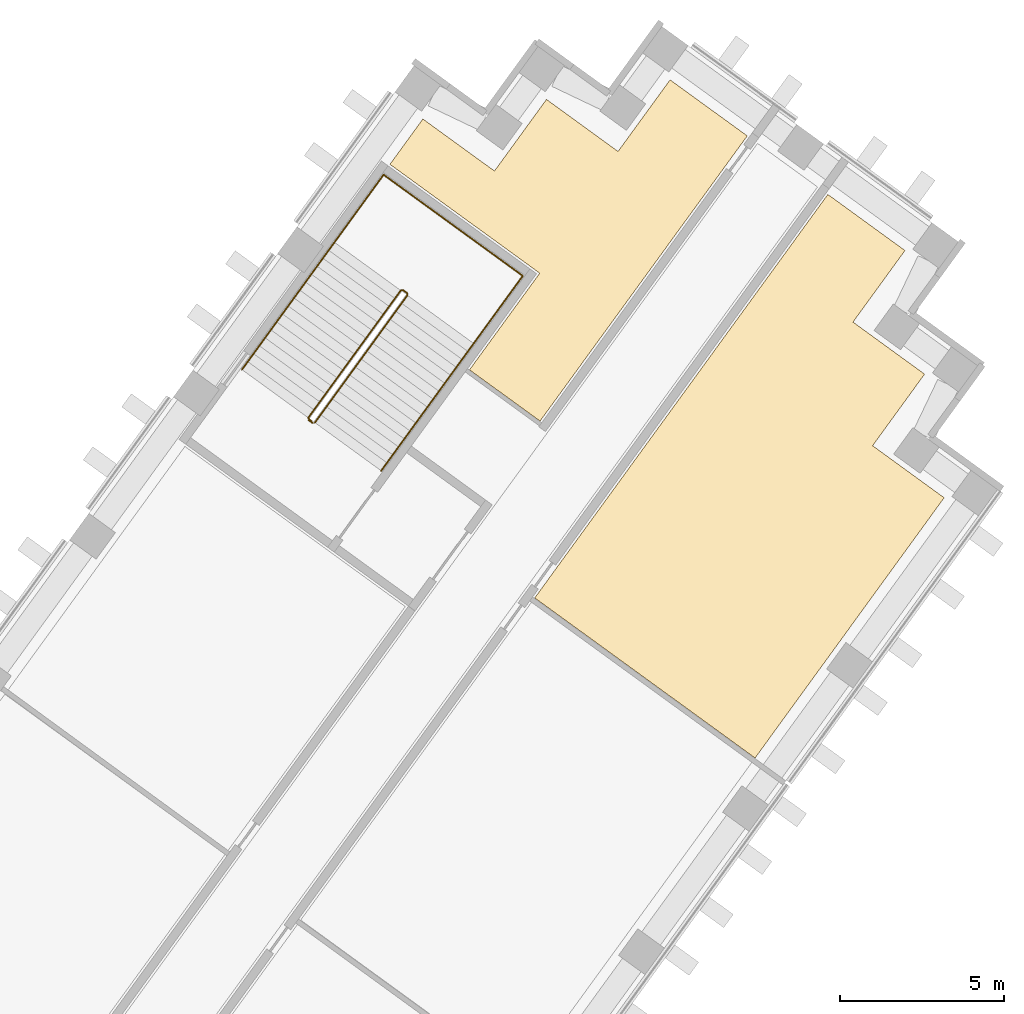
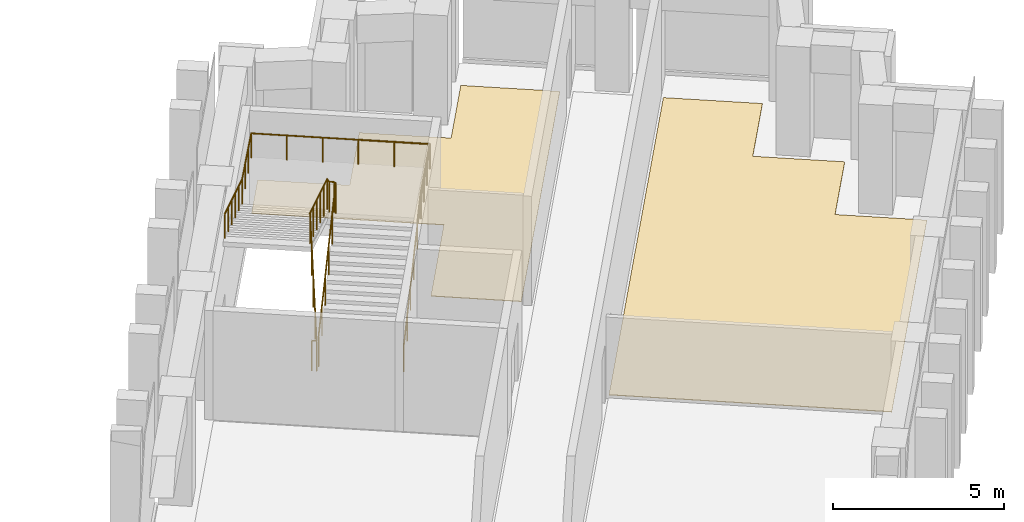
# One storey, part 14 of 14: 2 coverings, 2 railings.
"""IFC4 building model written with IfcOpenShell, lengths in metres."""

from ifc_helpers import new_model, si_unit, direction, frame, origin, origin_2d, place, context, subcontext, project, spatial, polyline, circle, outline, extrude, material, layer, layer_set, type_object, element, save


model = new_model("IFC4")

# Units and contexts
model_context = context("Model", 3, precision=1e-05, world=origin(), true_north=direction((0.0, 1.0)))
body_context = subcontext(model_context, "Body", "Model", "MODEL_VIEW")
ifc_project = project(units=[si_unit("LENGTHUNIT", "METRE"), si_unit("AREAUNIT", "SQUARE_METRE"), si_unit("VOLUMEUNIT", "CUBIC_METRE"), si_unit("PLANEANGLEUNIT", "RADIAN"), si_unit("MASSUNIT", "GRAM", prefix="KILO")], contexts=[model_context])

# Site, building, storey
site_placement = place(None, origin())
site = spatial("IfcSite", under=ifc_project, at=site_placement, CompositionType="ELEMENT")
building_placement = place(site_placement, origin())
building = spatial("IfcBuilding", under=site, at=building_placement, Name="Quipu Civic Tower", CompositionType="ELEMENT")
storey_placement = place(building_placement, frame((0.0, 0.0, 20.5)))
storey = spatial("IfcBuildingStorey", under=building, at=storey_placement, Name="L04", CompositionType="ELEMENT", Elevation=20.5)

# Coverings
ifc_material_1 = material(Name="Carpet tile on raised access floor")
ifc_layer = layer(ifc_material_1, 0.02001953125)
ifc_layer_set = layer_set([ifc_layer], Name="Carpet tile on raised access floor")
covering_type = type_object("IfcCoveringType", Name="Carpet tile floor finish 20", PredefinedType="FLOORING", material=ifc_layer_set)
covering_1_placement = place(storey_placement, origin())
element("IfcCovering", 1, at=covering_1_placement, inside=storey, type_object=covering_type, Name="Carpet tile floor finish 20", PredefinedType="FLOORING", context=body_context, shape_type="SweptSolid", body=[
    extrude(outline(polyline([(36.570068359375, 39.530029296875), (37.574951171875, 40.9130859375), (39.760009765625, 39.326904296875), (41.345947265625, 41.510986328125), (43.530029296875, 39.924072265625), (45.116943359375, 42.10791015625), (47.471923828125, 40.39794921875), (41.15087890625, 31.697021484375), (38.998046875, 33.260009765625), (41.139892578125, 36.208984375), (36.570068359375, 39.530029296875)])), origin(), (0.0, 0.0, 1.0), 0.02001953125),
])
covering_2_placement = place(storey_placement, origin())
element("IfcCovering", 2, at=covering_2_placement, inside=storey, type_object=covering_type, Name="Carpet tile floor finish 20", PredefinedType="FLOORING", context=body_context, shape_type="SweptSolid", body=[
    extrude(outline(polyline([(40.988037109375, 26.301025390625), (49.930908203125, 38.611083984375), (52.284912109375, 36.90087890625), (50.698974609375, 34.717041015625), (52.883056640625, 33.12890625), (51.297119140625, 30.945068359375), (53.47998046875, 29.35791015625), (47.7119140625, 21.41796875), (40.988037109375, 26.301025390625)])), origin(), (0.0, 0.0, 1.0), 0.02001953125),
])

# Railings
ifc_material_2 = material(Name="Stainless steel", Category="steel")
railing_type_1 = type_object("IfcRailingType", Name="Stair guard 1100", PredefinedType="GUARDRAIL", material=ifc_material_2)
railing_1_placement = place(storey_placement, frame((34.28125, 31.650390625, 0.13232421875)))
element("IfcRailing", 3, at=railing_1_placement, inside=storey, type_object=railing_type_1, Name="Stair 7 guard", PredefinedType="GUARDRAIL", context=body_context, shape_type="SweptSolid", body=[
    extrude(circle(Radius=0.02392578125, at=origin_2d()), frame((0.0, 0.0, 1.076171875), z_axis=(0.537761686143, 0.740190150552, 0.403647011561), x_axis=(-0.809026317077, 0.587772420479, 0.0)), (0.0, 0.0, 1.0), 5.246337890625),
    extrude(circle(Radius=0.02392578125, at=origin_2d()), frame((2.8212890625, 3.88330078125, 3.19384765625), z_axis=(-0.155430446612, 0.987846838465, 0.0), x_axis=(-0.987846838465, -0.155430446612, 0.0)), (0.0, 0.0, 1.0), 0.07080078125),
    extrude(circle(Radius=0.02392578125, at=origin_2d()), frame((2.810302734375, 3.953125, 3.19384765625), z_axis=(-0.809649071907, 0.586914287065, 0.0), x_axis=(-0.586914287065, -0.809649071907, 0.0)), (0.0, 0.0, 1.0), 0.150146484375),
    extrude(circle(Radius=0.02392578125, at=origin_2d()), frame((2.688720703125, 4.041259765625, 3.19384765625), z_axis=(-0.465434601444, -0.07323271701, 0.882047391549), x_axis=(0.155430446612, -0.987846838465, 0.0)), (0.0, 0.0, 1.0), 0.14990234375),
    extrude(circle(Radius=0.02392578125, at=origin_2d()), frame((2.618896484375, 4.0302734375, 3.326171875), z_axis=(-0.537761686143, -0.740190150552, 0.403647011561), x_axis=(0.809026317077, -0.587772420479, 0.0)), (0.0, 0.0, 1.0), 5.246337890625),
    extrude(circle(Radius=0.02392578125, at=origin_2d()), frame((-0.202392578125, 0.14697265625, 5.44384765625), z_axis=(0.029374601348, -0.035065252901, -0.998953232556), x_axis=(0.766567769536, 0.642163417448, 0.0)), (0.0, 0.0, 1.0), 4.504638671875),
    extrude(circle(Radius=0.02392578125, at=origin_2d()), frame((-0.070068359375, -0.010986328125, 0.94384765625), z_axis=(-0.809087927272, 0.587687609145, 0.0), x_axis=(-0.587687609145, -0.809087927272, 0.0)), (0.0, 0.0, 1.0), 0.14990234375),
    extrude(circle(Radius=0.02099609375, at=origin_2d()), origin(), (0.0, 0.0, 1.0), 1.052001953125),
    extrude(circle(Radius=0.02099609375, at=origin_2d()), frame((0.564208984375, 0.776611328125, 0.423583984375)), (0.0, 0.0, 1.0), 1.052001953125),
    extrude(circle(Radius=0.02099609375, at=origin_2d()), frame((1.12841796875, 1.55322265625, 0.84716796875)), (0.0, 0.0, 1.0), 1.052001953125),
    extrude(circle(Radius=0.02099609375, at=origin_2d()), frame((1.69287109375, 2.330078125, 1.2705078125)), (0.0, 0.0, 1.0), 1.052001953125),
    extrude(circle(Radius=0.02099609375, at=origin_2d()), frame((2.257080078125, 3.106689453125, 1.694091796875)), (0.0, 0.0, 1.0), 1.052001953125),
    extrude(circle(Radius=0.02099609375, at=origin_2d()), frame((2.8212890625, 3.88330078125, 2.11767578125)), (0.0, 0.0, 1.0), 1.052001953125),
    extrude(circle(Radius=0.02099609375, at=origin_2d()), frame((2.810302734375, 3.953125, 2.11767578125)), (0.0, 0.0, 1.0), 1.052001953125),
    extrude(circle(Radius=0.02099609375, at=origin_2d()), frame((2.688720703125, 4.041259765625, 2.11767578125)), (0.0, 0.0, 1.0), 1.052001953125),
    extrude(circle(Radius=0.02099609375, at=origin_2d()), frame((2.618896484375, 4.0302734375, 2.25)), (0.0, 0.0, 1.0), 1.052001953125),
    extrude(circle(Radius=0.02099609375, at=origin_2d()), frame((2.0546875, 3.253662109375, 2.673583984375)), (0.0, 0.0, 1.0), 1.052001953125),
    extrude(circle(Radius=0.02099609375, at=origin_2d()), frame((1.490478515625, 2.47705078125, 3.09716796875)), (0.0, 0.0, 1.0), 1.052001953125),
    extrude(circle(Radius=0.02099609375, at=origin_2d()), frame((0.926025390625, 1.7001953125, 3.5205078125)), (0.0, 0.0, 1.0), 1.052001953125),
    extrude(circle(Radius=0.02099609375, at=origin_2d()), frame((0.36181640625, 0.923583984375, 3.944091796875)), (0.0, 0.0, 1.0), 1.052001953125),
    extrude(circle(Radius=0.02099609375, at=origin_2d()), frame((-0.202392578125, 0.14697265625, 4.36767578125)), (0.0, 0.0, 1.0), 1.052001953125),
    extrude(circle(Radius=0.02099609375, at=origin_2d()), frame((-0.16943359375, 0.107421875, 3.24267578125)), (0.0, 0.0, 1.0), 1.052001953125),
    extrude(circle(Radius=0.02099609375, at=origin_2d()), frame((-0.13623046875, 0.06787109375, 2.11767578125)), (0.0, 0.0, 1.0), 1.052001953125),
    extrude(circle(Radius=0.02099609375, at=origin_2d()), frame((-0.10302734375, 0.028564453125, 0.99267578125)), (0.0, 0.0, 1.0), 1.052001953125),
    extrude(circle(Radius=0.02099609375, at=origin_2d()), frame((-0.070068359375, -0.010986328125, -0.13232421875)), (0.0, 0.0, 1.0), 1.052001953125),
    extrude(circle(Radius=0.02099609375, at=origin_2d()), frame((-0.19140625, 0.0771484375, -0.13232421875)), (0.0, 0.0, 1.0), 1.052001953125),
])
ifc_material_3 = material(Name="Stainless steel", Category="steel")
railing_type_2 = type_object("IfcRailingType", Name="Stair handrail", PredefinedType="HANDRAIL", material=ifc_material_3)
railing_2_placement = place(storey_placement, frame((36.3037109375, 30.180908203125, 0.13232421875)))
element("IfcRailing", 4, at=railing_2_placement, inside=storey, type_object=railing_type_2, Name="Stair 7 handrail", PredefinedType="HANDRAIL", context=body_context, shape_type="SweptSolid", body=[
    extrude(circle(Radius=0.02392578125, at=origin_2d()), frame((0.0, 0.0, 0.8759765625), z_axis=(0.537761686143, 0.740190150552, 0.403647011561), x_axis=(-0.809026317077, 0.587772420479, 0.0)), (0.0, 0.0, 1.0), 5.246337890625),
    extrude(circle(Radius=0.02392578125, at=origin_2d()), frame((2.8212890625, 3.88330078125, 2.99365234375), z_axis=(0.587767432704, 0.809029940764, 0.0), x_axis=(-0.809029940764, 0.587767432704, 0.0)), (0.0, 0.0, 1.0), 2.550048828125),
    extrude(circle(Radius=0.02392578125, at=origin_2d()), frame((4.320068359375, 5.9462890625, 2.99365234375), z_axis=(-0.809009483706, 0.587795589702, 0.0), x_axis=(-0.587795589702, -0.809009483706, 0.0)), (0.0, 0.0, 1.0), 5.25),
    extrude(circle(Radius=0.02392578125, at=origin_2d()), frame((0.07275390625, 9.0322265625, 2.99365234375), z_axis=(-0.586977638712, -0.807942832239, 0.051823078707), x_axis=(0.809029940764, -0.587767432704, 0.0)), (0.0, 0.0, 1.0), 2.553466796875),
    extrude(circle(Radius=0.02392578125, at=origin_2d()), frame((-1.426025390625, 6.96923828125, 3.1259765625), z_axis=(-0.537761686143, -0.740190150552, 0.403647011561), x_axis=(0.809026317077, -0.587772420479, 0.0)), (0.0, 0.0, 1.0), 5.246337890625),
    extrude(circle(Radius=0.02099609375, at=origin_2d()), origin(), (0.0, 0.0, 1.0), 0.851806640625),
    extrude(circle(Radius=0.02099609375, at=origin_2d()), frame((0.564208984375, 0.776611328125, 0.423583984375)), (0.0, 0.0, 1.0), 0.851806640625),
    extrude(circle(Radius=0.02099609375, at=origin_2d()), frame((1.12841796875, 1.55322265625, 0.84716796875)), (0.0, 0.0, 1.0), 0.851806640625),
    extrude(circle(Radius=0.02099609375, at=origin_2d()), frame((1.69287109375, 2.330078125, 1.2705078125)), (0.0, 0.0, 1.0), 0.851806640625),
    extrude(circle(Radius=0.02099609375, at=origin_2d()), frame((2.257080078125, 3.106689453125, 1.694091796875)), (0.0, 0.0, 1.0), 0.851806640625),
    extrude(circle(Radius=0.02099609375, at=origin_2d()), frame((2.8212890625, 3.88330078125, 2.11767578125)), (0.0, 0.0, 1.0), 0.851806640625),
    extrude(circle(Radius=0.02099609375, at=origin_2d()), frame((3.32080078125, 4.571044921875, 2.11767578125)), (0.0, 0.0, 1.0), 0.851806640625),
    extrude(circle(Radius=0.02099609375, at=origin_2d()), frame((3.820556640625, 5.258544921875, 2.11767578125)), (0.0, 0.0, 1.0), 0.851806640625),
    extrude(circle(Radius=0.02099609375, at=origin_2d()), frame((4.320068359375, 5.9462890625, 2.11767578125)), (0.0, 0.0, 1.0), 0.851806640625),
    extrude(circle(Radius=0.02099609375, at=origin_2d()), frame((3.470703125, 6.5634765625, 2.11767578125)), (0.0, 0.0, 1.0), 0.851806640625),
    extrude(circle(Radius=0.02099609375, at=origin_2d()), frame((2.62109375, 7.1806640625, 2.11767578125)), (0.0, 0.0, 1.0), 0.851806640625),
    extrude(circle(Radius=0.02099609375, at=origin_2d()), frame((1.771728515625, 7.7978515625, 2.11767578125)), (0.0, 0.0, 1.0), 0.851806640625),
    extrude(circle(Radius=0.02099609375, at=origin_2d()), frame((0.922119140625, 8.4150390625, 2.11767578125)), (0.0, 0.0, 1.0), 0.851806640625),
    extrude(circle(Radius=0.02099609375, at=origin_2d()), frame((0.07275390625, 9.0322265625, 2.11767578125)), (0.0, 0.0, 1.0), 0.851806640625),
    extrude(circle(Radius=0.02099609375, at=origin_2d()), frame((-0.4267578125, 8.344482421875, 2.161865234375)), (0.0, 0.0, 1.0), 0.851806640625),
    extrude(circle(Radius=0.02099609375, at=origin_2d()), frame((-0.926513671875, 7.656982421875, 2.205810546875)), (0.0, 0.0, 1.0), 0.851806640625),
    extrude(circle(Radius=0.02099609375, at=origin_2d()), frame((-1.426025390625, 6.96923828125, 2.25)), (0.0, 0.0, 1.0), 0.851806640625),
    extrude(circle(Radius=0.02099609375, at=origin_2d()), frame((-1.990234375, 6.192626953125, 2.673583984375)), (0.0, 0.0, 1.0), 0.851806640625),
    extrude(circle(Radius=0.02099609375, at=origin_2d()), frame((-2.554443359375, 5.416015625, 3.09716796875)), (0.0, 0.0, 1.0), 0.851806640625),
    extrude(circle(Radius=0.02099609375, at=origin_2d()), frame((-3.118896484375, 4.63916015625, 3.5205078125)), (0.0, 0.0, 1.0), 0.851806640625),
    extrude(circle(Radius=0.02099609375, at=origin_2d()), frame((-3.68310546875, 3.862548828125, 3.944091796875)), (0.0, 0.0, 1.0), 0.851806640625),
    extrude(circle(Radius=0.02099609375, at=origin_2d()), frame((-4.247314453125, 3.0859375, 4.36767578125)), (0.0, 0.0, 1.0), 0.851806640625),
])

save(model, "model.ifc")
